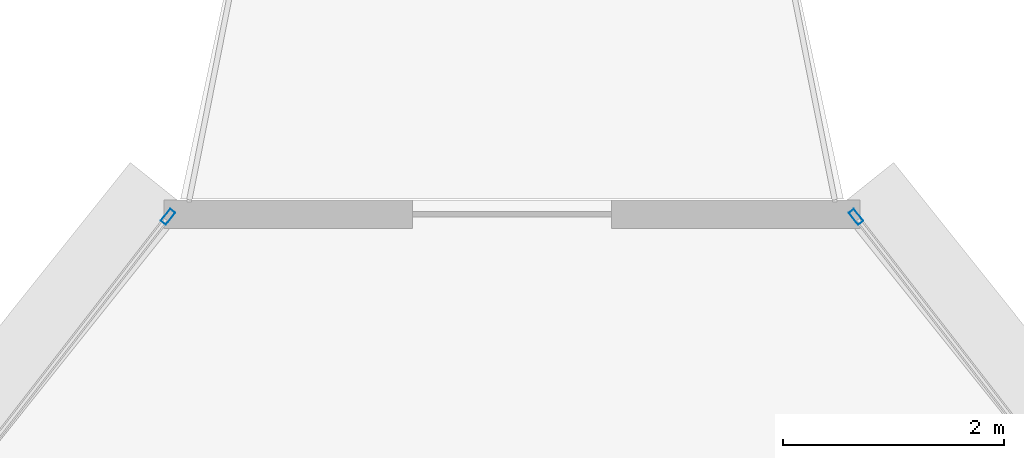
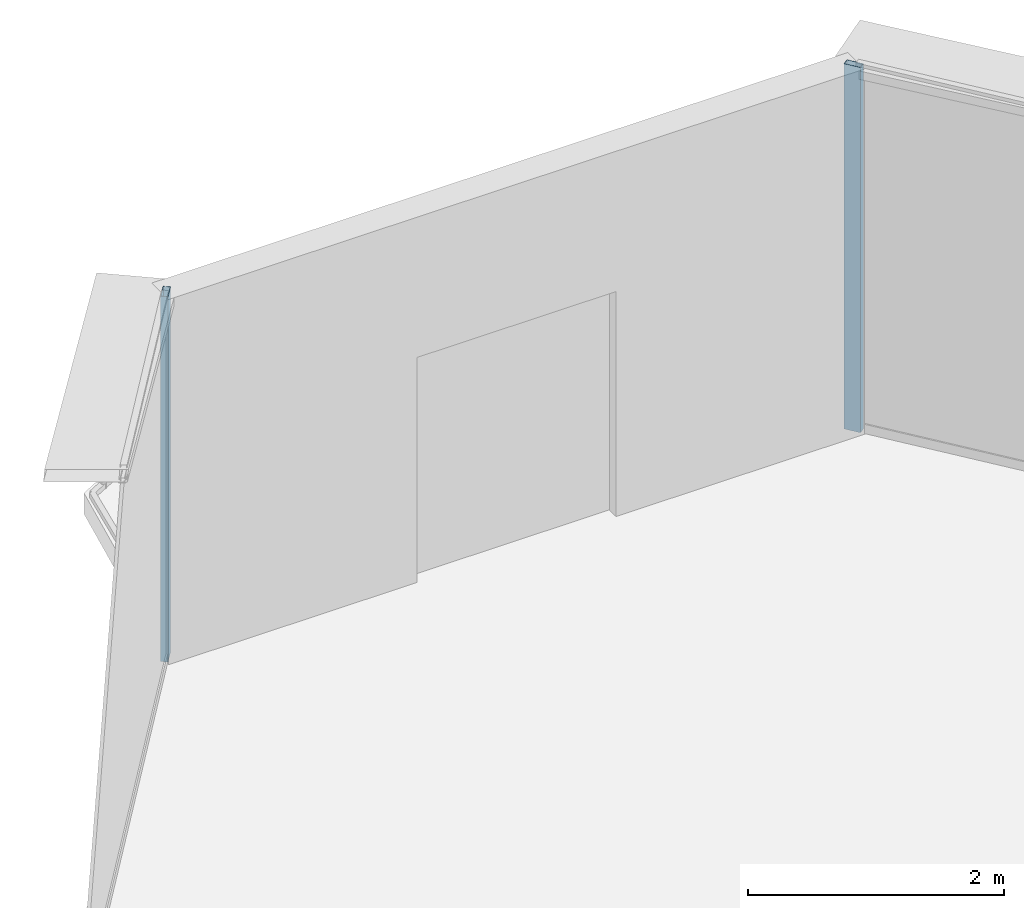
# One storey, part 18 of 27: 2 members, 2 elements without a shape of their own.
"""IFC4 building model written with IfcOpenShell, lengths in metres."""

from ifc_helpers import new_model, si_unit, direction, frame, origin, origin_2d, place, context, subcontext, project, spatial, hollow_rectangle, extrude, source, transform, mapped, material, layer, layer_set, material_profile, profile_set, type_object, element, aggregate, save


model = new_model("IFC4")

# Units and contexts
model_context = context("Model", 3, precision=1e-05, world=origin(), true_north=direction((0.0, 1.0)))
body_context = subcontext(model_context, "Body", "Model", "MODEL_VIEW")
ifc_project = project(units=[si_unit("LENGTHUNIT", "METRE"), si_unit("AREAUNIT", "SQUARE_METRE"), si_unit("VOLUMEUNIT", "CUBIC_METRE"), si_unit("PLANEANGLEUNIT", "RADIAN"), si_unit("MASSUNIT", "GRAM", prefix="KILO"), si_unit("THERMODYNAMICTEMPERATUREUNIT", "KELVIN"), si_unit("POWERUNIT", "WATT")], contexts=[model_context])

# Site, building, storey
site_placement = place(None, origin())
site = spatial("IfcSite", under=ifc_project, at=site_placement, CompositionType="ELEMENT")
building_placement = place(site_placement, origin())
building = spatial("IfcBuilding", under=site, at=building_placement, Name="Yunzhuo Pagoda Commons", CompositionType="ELEMENT")
storey_placement = place(building_placement, frame((0.0, 0.0, 344.260009765625)))
storey = spatial("IfcBuildingStorey", under=building, at=storey_placement, Name="L86", CompositionType="ELEMENT", Elevation=344.260009765625)

# Curtain wall, member
ifc_material = material(Name="Anodized aluminium 6063-T6", Category="aluminium")
ifc_layer = layer(ifc_material, 0.139892578125)
ifc_layer_set = layer_set([ifc_layer], Name="Anodized aluminium 6063-T6")
curtain_wall_type = type_object("IfcCurtainWallType", Name="CW-HI High-Zone Ribbon Curtain Wall", PredefinedType="NOTDEFINED", material=ifc_layer_set)
curtain_wall_1_placement = place(storey_placement, origin())
curtain_wall_1 = element("IfcCurtainWall", 1, at=curtain_wall_1_placement, inside=storey, type_object=curtain_wall_type, Name="L86 curtain wall CW-L86-F2B5", PredefinedType="NOTDEFINED")
ifc_material_profile = material_profile(ifc_material, hollow_rectangle(XDim=0.06005859375, YDim=0.139892578125, WallThickness=0.00341796875, at=origin_2d()), Name="Anodized aluminium 6063-T6")
ifc_profile_set = profile_set([ifc_material_profile], Name="Anodized aluminium 6063-T6")
member_type = type_object("IfcMemberType", Name="CW-HI-M Mullion RHS 140x60x3.5", PredefinedType="MULLION", material=ifc_profile_set)
shared_shape = source(origin(), body_context, "Body", "SweptSolid", [
    extrude(hollow_rectangle(XDim=0.06005859375, YDim=0.139892578125, WallThickness=0.00341796875, at=origin_2d()), origin(), (0.0, 0.0, 1.0), 3.489990234375),
])
member_1_placement = place(storey_placement, frame((51.10986328125, 71.757568359375, 0.0), z_axis=(0.0, 0.0, 1.0), x_axis=(-0.79052744869, -0.612426610189, 0.0)))
member_1 = element("IfcMember", 2, at=member_1_placement, type_object=member_type, Name="CW mullion 2", PredefinedType="MULLION", context=body_context, shape_type="MappedRepresentation", body=[
    mapped(shared_shape, transform((0.0, 0.0, 0.0), scale=1.0)),
])
aggregate(curtain_wall_1, [member_1])

curtain_wall_2_placement = place(storey_placement, origin())
curtain_wall_2 = element("IfcCurtainWall", 3, at=curtain_wall_2_placement, inside=storey, type_object=curtain_wall_type, Name="L86 curtain wall CW-L86-F3B1", PredefinedType="NOTDEFINED")
member_2_placement = place(storey_placement, frame((44.89013671875, 71.757568359375, 0.0), z_axis=(0.0, 0.0, 1.0), x_axis=(0.79052744869, -0.612426610189, 0.0)))
member_2 = element("IfcMember", 4, at=member_2_placement, type_object=member_type, Name="CW mullion 1", PredefinedType="MULLION", context=body_context, shape_type="MappedRepresentation", body=[
    mapped(shared_shape, transform((0.0, 0.0, 0.0), scale=1.0)),
])
aggregate(curtain_wall_2, [member_2])

save(model, "model.ifc")
